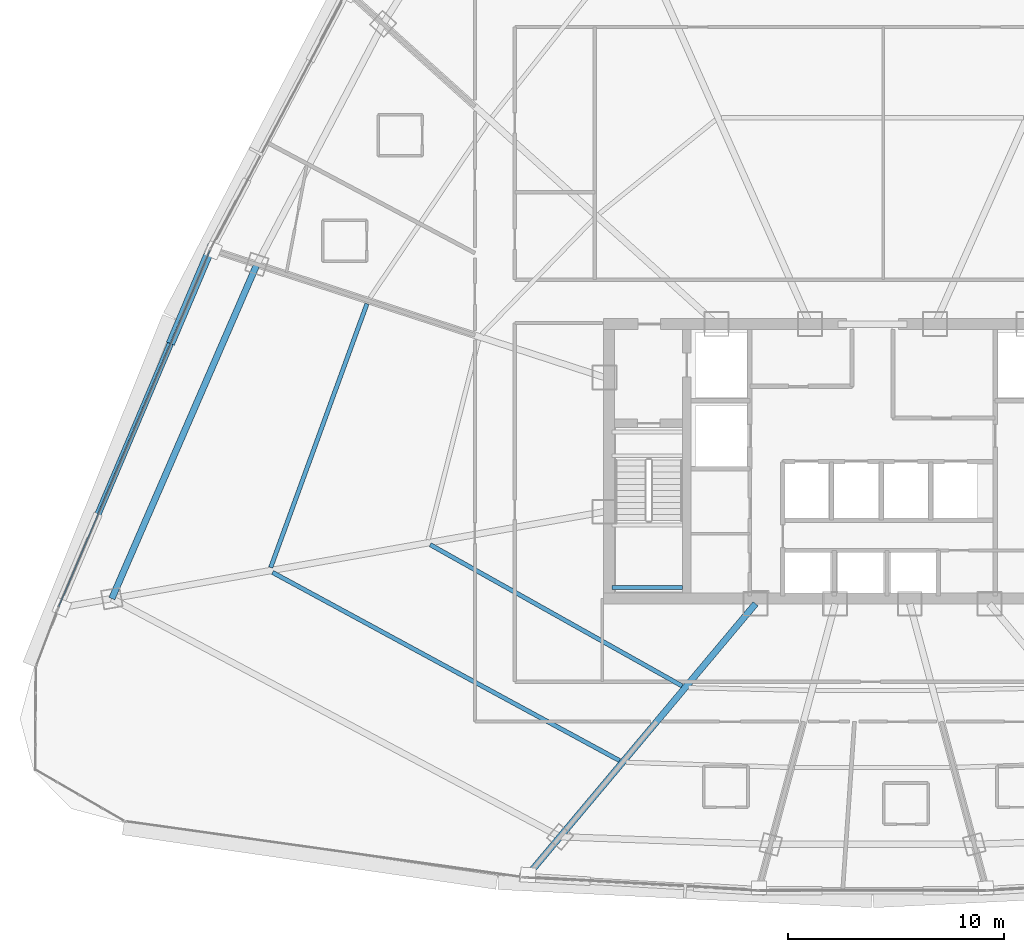
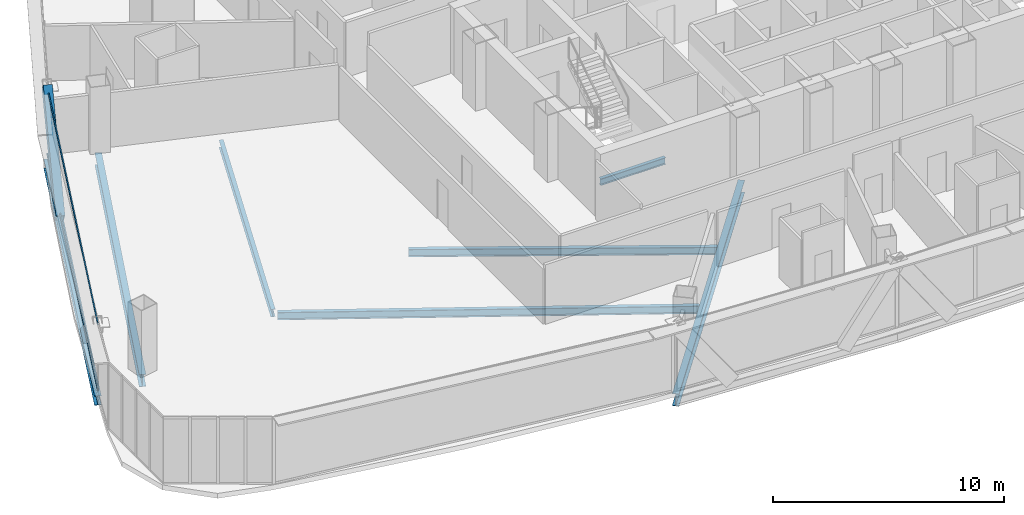
# One storey, part 7 of 40: 7 beams, 3 members, 1 element without a shape of its own.
"""IFC4 building model written with IfcOpenShell, lengths in metres."""

from ifc_helpers import new_model, si_unit, direction, frame, origin, origin_2d, place, context, subcontext, project, spatial, hollow_rectangle, i_section, extrude, source, transform, mapped, material, layer, layer_set, material_profile, profile_set, type_object, element, aggregate, save


model = new_model("IFC4")

# Units and contexts
model_context = context("Model", 3, precision=1e-05, world=origin(), true_north=direction((0.0, 1.0)))
body_context = subcontext(model_context, "Body", "Model", "MODEL_VIEW")
ifc_project = project(units=[si_unit("LENGTHUNIT", "METRE"), si_unit("AREAUNIT", "SQUARE_METRE"), si_unit("VOLUMEUNIT", "CUBIC_METRE"), si_unit("PLANEANGLEUNIT", "RADIAN"), si_unit("MASSUNIT", "GRAM", prefix="KILO"), si_unit("THERMODYNAMICTEMPERATUREUNIT", "KELVIN"), si_unit("POWERUNIT", "WATT")], contexts=[model_context])

# Site, building, storey
site_placement = place(None, origin())
site = spatial("IfcSite", under=ifc_project, at=site_placement, CompositionType="ELEMENT")
building_placement = place(site_placement, origin())
building = spatial("IfcBuilding", under=site, at=building_placement, Name="Yunzhuo Pagoda Commons", CompositionType="ELEMENT")
storey_placement = place(building_placement, frame((0.0, 0.0, 188.56005859375)))
storey = spatial("IfcBuildingStorey", under=building, at=storey_placement, Name="L47", CompositionType="ELEMENT", Elevation=188.56005859375)

# Beams
ifc_material_1 = material(Name="Structural steel Q355B", Category="steel")
ifc_material_profile_1 = material_profile(ifc_material_1, i_section(OverallWidth=0.175048828125, OverallDepth=0.35009765625, WebThickness=0.007080078125, FlangeThickness=0.010986328125, at=origin_2d()), Name="Structural steel Q355B")
ifc_profile_set_1 = profile_set([ifc_material_profile_1], Name="Structural steel Q355B")
beam_type_1 = type_object("IfcBeamType", Name="B-JS2 Joist HN 350x175x7x11", PredefinedType="JOIST", material=ifc_profile_set_1)
shared_shape_1 = source(origin(), body_context, "Body", "SweptSolid", [
    extrude(i_section(OverallWidth=0.175048828125, OverallDepth=0.35009765625, WebThickness=0.007080078125, FlangeThickness=0.010986328125, at=origin_2d()), origin(), (0.0, 0.0, 1.0), 3.25),
])
beam_1_placement = place(storey_placement, frame((35.949951171875, 28.0, 1.52490234375), z_axis=(1.0, 0.0, 0.0), x_axis=(0.0, 1.0, 0.0)))
element("IfcBeam", 1, at=beam_1_placement, inside=storey, type_object=beam_type_1, Name="L47 ST1 landing support beam 53A", PredefinedType="JOIST", context=body_context, shape_type="MappedRepresentation", body=[
    mapped(shared_shape_1, transform((0.0, 0.0, 0.0), scale=1.0)),
])
ifc_material_profile_2 = material_profile(ifc_material_1, i_section(OverallWidth=0.300048828125, OverallDepth=0.488037109375, WebThickness=0.010986328125, FlangeThickness=0.01806640625, at=origin_2d()), Name="Structural steel Q355B")
ifc_profile_set_2 = profile_set([ifc_material_profile_2], Name="Structural steel Q355B")
beam_type_2 = type_object("IfcBeamType", Name="B-SP1 Beam HM 488x300x11x18", PredefinedType="BEAM", material=ifc_profile_set_2)
shared_shape_2 = source(origin(), body_context, "Body", "SweptSolid", [
    extrude(i_section(OverallWidth=0.300048828125, OverallDepth=0.488037109375, WebThickness=0.010986328125, FlangeThickness=0.01806640625, at=origin_2d()), origin(), (0.0, 0.0, 1.0), 18.037353515625),
])
beam_2_placement = place(storey_placement, frame((17.355224609375, 43.6572265625, -0.504150390625), z_axis=(-0.390723291802, -0.920508179889, 0.0), x_axis=(0.920508179889, -0.390723291802, 0.0)))
element("IfcBeam", 2, at=beam_2_placement, inside=storey, type_object=beam_type_2, Name="L47 facade edge spandrel beam F3.3", PredefinedType="BEAM", context=body_context, shape_type="MappedRepresentation", body=[
    mapped(shared_shape_2, transform((0.0, 0.0, 0.0), scale=1.0)),
])
ifc_material_profile_3 = material_profile(ifc_material_1, i_section(OverallWidth=0.300048828125, OverallDepth=0.64990234375, WebThickness=0.012939453125, FlangeThickness=0.02197265625, at=origin_2d()), Name="Structural steel Q355B")
ifc_profile_set_3 = profile_set([ifc_material_profile_3], Name="Structural steel Q355B")
beam_type_3 = type_object("IfcBeamType", Name="B-RG2 Beam HN 650x300x13x22", PredefinedType="BEAM", material=ifc_profile_set_3)
shared_shape_3 = source(origin(), body_context, "Body", "SweptSolid", [
    extrude(i_section(OverallWidth=0.300048828125, OverallDepth=0.64990234375, WebThickness=0.012939453125, FlangeThickness=0.02197265625, at=origin_2d()), origin(), (0.0, 0.0, 1.0), 16.859619140625),
])
beam_3_placement = place(storey_placement, frame((19.50537109375, 42.95849609375, -0.5849609375), z_axis=(-0.398104384161, -0.917340121935, 0.0), x_axis=(0.917340121935, -0.398104384161, 0.0)))
element("IfcBeam", 3, at=beam_3_placement, inside=storey, type_object=beam_type_3, Name="L47 column-ring beam 11", PredefinedType="BEAM", context=body_context, shape_type="MappedRepresentation", body=[
    mapped(shared_shape_3, transform((0.0, 0.0, 0.0), scale=1.0)),
])
shared_shape_4 = source(origin(), body_context, "Body", "SweptSolid", [
    extrude(i_section(OverallWidth=0.300048828125, OverallDepth=0.64990234375, WebThickness=0.012939453125, FlangeThickness=0.02197265625, at=origin_2d()), origin(), (0.0, 0.0, 1.0), 16.390625),
])
beam_4_placement = place(storey_placement, frame((32.05224609375, 14.694091796875, -0.5849609375), z_axis=(0.642787129535, 0.766044846014, 0.0), x_axis=(-0.766044846014, 0.642787129535, 0.0)))
element("IfcBeam", 4, at=beam_4_placement, inside=storey, type_object=beam_type_3, Name="L47 radial floor girder F1C1", PredefinedType="BEAM", context=body_context, shape_type="MappedRepresentation", body=[
    mapped(shared_shape_4, transform((0.0, 0.0, 0.0), scale=1.0)),
])
ifc_material_profile_4 = material_profile(ifc_material_1, i_section(OverallWidth=0.199951171875, OverallDepth=0.39990234375, WebThickness=0.008056640625, FlangeThickness=0.012939453125, at=origin_2d()), Name="Structural steel Q355B")
ifc_profile_set_4 = profile_set([ifc_material_profile_4], Name="Structural steel Q355B")
beam_type_4 = type_object("IfcBeamType", Name="B-JS1 Joist HN 400x200x8x13", PredefinedType="JOIST", material=ifc_profile_set_4)
shared_shape_5 = source(origin(), body_context, "Body", "SweptSolid", [
    extrude(i_section(OverallWidth=0.199951171875, OverallDepth=0.39990234375, WebThickness=0.008056640625, FlangeThickness=0.012939453125, at=origin_2d()), origin(), (0.0, 0.0, 1.0), 13.372802734375),
])
beam_5_placement = place(storey_placement, frame((27.5283203125, 29.988037109375, -0.4599609375), z_axis=(0.872150261016, -0.4892381038, 0.0), x_axis=(0.4892381038, 0.872150261016, 0.0)))
element("IfcBeam", 5, at=beam_5_placement, inside=storey, type_object=beam_type_4, Name="L47 composite ring joist 1.12", PredefinedType="JOIST", context=body_context, shape_type="MappedRepresentation", body=[
    mapped(shared_shape_5, transform((0.0, 0.0, 0.0), scale=1.0)),
])
shared_shape_6 = source(origin(), body_context, "Body", "SweptSolid", [
    extrude(i_section(OverallWidth=0.199951171875, OverallDepth=0.39990234375, WebThickness=0.008056640625, FlangeThickness=0.012939453125, at=origin_2d()), origin(), (0.0, 0.0, 1.0), 18.27294921875),
])
beam_6_placement = place(storey_placement, frame((20.2314453125, 28.703125, -0.4599609375), z_axis=(0.879067821824, -0.476696721861, 0.0), x_axis=(0.476696721861, 0.879067821824, 0.0)))
element("IfcBeam", 6, at=beam_6_placement, inside=storey, type_object=beam_type_4, Name="L47 composite ring joist 2.12", PredefinedType="JOIST", context=body_context, shape_type="MappedRepresentation", body=[
    mapped(shared_shape_6, transform((0.0, 0.0, 0.0), scale=1.0)),
])
shared_shape_7 = source(origin(), body_context, "Body", "SweptSolid", [
    extrude(i_section(OverallWidth=0.199951171875, OverallDepth=0.39990234375, WebThickness=0.008056640625, FlangeThickness=0.012939453125, at=origin_2d()), origin(), (0.0, 0.0, 1.0), 12.994873046875),
])
beam_7_placement = place(storey_placement, frame((24.60107421875, 41.1357421875, -0.4599609375), z_axis=(-0.342834977914, -0.939395645039, 0.0), x_axis=(0.939395645039, -0.342834977914, 0.0)))
element("IfcBeam", 7, at=beam_7_placement, inside=storey, type_object=beam_type_4, Name="L47 composite ring joist 2.11", PredefinedType="JOIST", context=body_context, shape_type="MappedRepresentation", body=[
    mapped(shared_shape_7, transform((0.0, 0.0, 0.0), scale=1.0)),
])

# Member
ifc_material_profile_5 = material_profile(ifc_material_1, hollow_rectangle(XDim=0.39990234375, YDim=0.719970703125, WallThickness=0.02392578125, at=origin_2d()), Name="Structural steel Q355B")
ifc_profile_set_5 = profile_set([ifc_material_profile_5], Name="Structural steel Q355B")
member_type_1 = type_object("IfcMemberType", Name="M-DL2 Brace BOX 720x400x24", PredefinedType="BRACE", material=ifc_profile_set_5)
shared_shape_8 = source(origin(), body_context, "Body", "SweptSolid", [
    extrude(hollow_rectangle(XDim=0.39990234375, YDim=0.719970703125, WallThickness=0.02392578125, at=origin_2d()), origin(), (0.0, 0.0, 1.0), 5.89697265625),
])
member_1_placement = place(storey_placement, frame((15.593017578125, 39.50634765625, -0.260009765625), z_axis=(0.298827103957, 0.703887284772, 0.644395105721), x_axis=(-0.920483837961, 0.390780634184, 0.0)))
element("IfcMember", 8, at=member_1_placement, inside=storey, type_object=member_type_1, Name="L47 facade diamond brace F3.3L", PredefinedType="BRACE", context=body_context, shape_type="MappedRepresentation", body=[
    mapped(shared_shape_8, transform((0.0, 0.0, 0.0), scale=1.0)),
])

# Curtain wall, members
ifc_material_2 = material(Name="Anodized aluminium 6063-T6", Category="aluminium")
ifc_layer = layer(ifc_material_2, 0.14990234375)
ifc_layer_set = layer_set([ifc_layer], Name="Anodized aluminium 6063-T6")
curtain_wall_type = type_object("IfcCurtainWallType", Name="CW-MID Mid-Zone Ribbon Curtain Wall", PredefinedType="NOTDEFINED", material=ifc_layer_set)
curtain_wall_placement = place(storey_placement, origin())
curtain_wall = element("IfcCurtainWall", 9, at=curtain_wall_placement, inside=storey, type_object=curtain_wall_type, Name="L47 curtain wall CW-L47-F3B4", PredefinedType="NOTDEFINED")
ifc_material_profile_6 = material_profile(ifc_material_2, hollow_rectangle(XDim=0.054931640625, YDim=0.1298828125, WallThickness=0.00341796875, at=origin_2d()), Name="Anodized aluminium 6063-T6")
ifc_profile_set_6 = profile_set([ifc_material_profile_6], Name="Anodized aluminium 6063-T6")
member_type_2 = type_object("IfcMemberType", Name="CW-MID-T Transom RHS 130x55x3.5", PredefinedType="USERDEFINED", material=ifc_profile_set_6)
shared_shape_9 = source(origin(), body_context, "Body", "SweptSolid", [
    extrude(hollow_rectangle(XDim=0.054931640625, YDim=0.1298828125, WallThickness=0.00341796875, at=origin_2d()), origin(), (0.0, 0.0, 1.0), 17.917236328125),
])
member_2_placement = place(storey_placement, frame((17.33154296875, 43.60205078125, 0.02734375), z_axis=(-0.390715008081, -0.920511695993, 0.0), x_axis=(0.920511695993, -0.390715008081, 0.0)))
member_2 = element("IfcMember", 10, at=member_2_placement, type_object=member_type_2, Name="CW transom 1.1", ObjectType="TRANSOM", PredefinedType="USERDEFINED", context=body_context, shape_type="MappedRepresentation", body=[
    mapped(shared_shape_9, transform((0.0, 0.0, 0.0), scale=1.0)),
])
member_3_placement = place(storey_placement, frame((17.33154296875, 43.60205078125, 3.512451171875), z_axis=(-0.390715008081, -0.920511695993, 0.0), x_axis=(0.920511695993, -0.390715008081, 0.0)))
member_3 = element("IfcMember", 11, at=member_3_placement, type_object=member_type_2, Name="CW transom 1.2", ObjectType="TRANSOM", PredefinedType="USERDEFINED", context=body_context, shape_type="MappedRepresentation", body=[
    mapped(shared_shape_9, transform((0.0, 0.0, 0.0), scale=1.0)),
])
aggregate(curtain_wall, [member_2, member_3])

save(model, "model.ifc")
